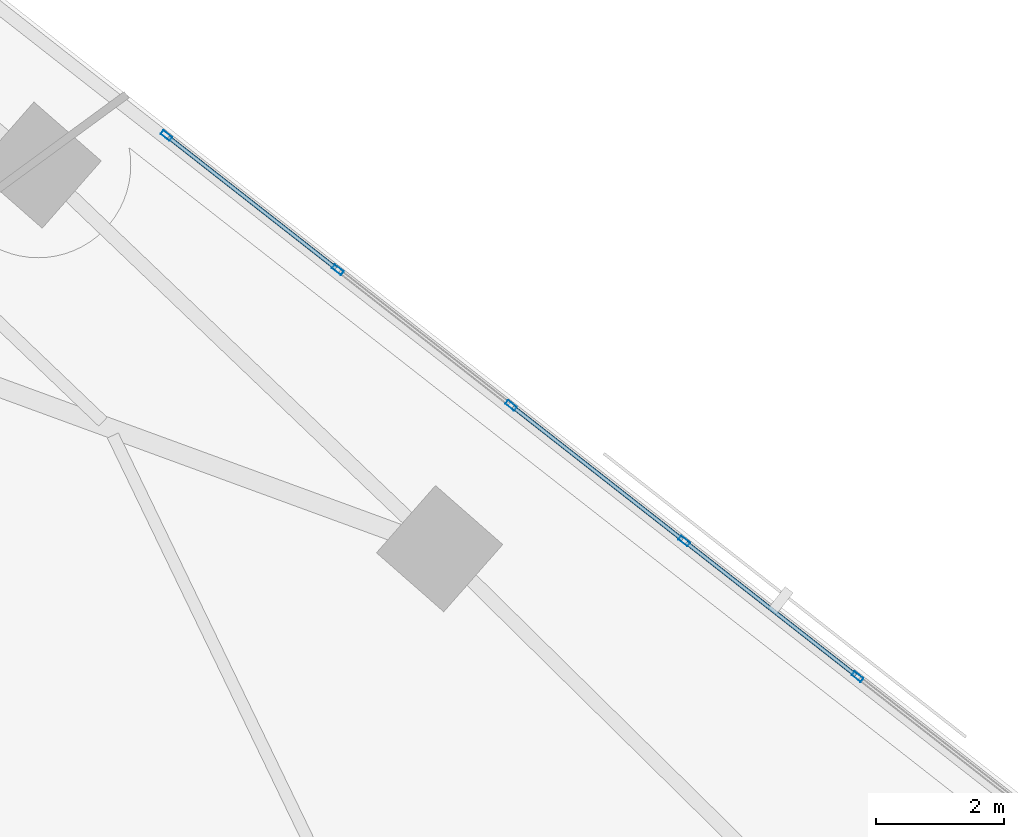
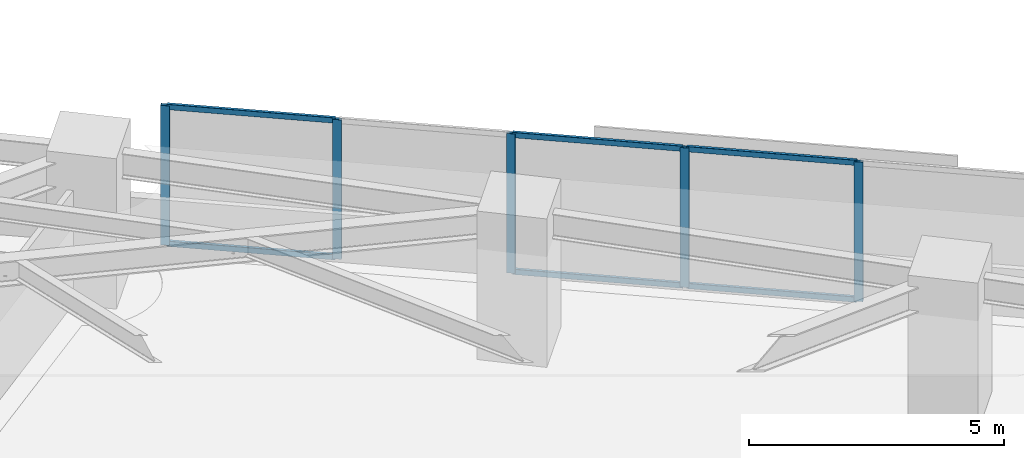
# One storey, part 7 of 16: 11 members, 1 element without a shape of its own.
"""IFC4 building model written with IfcOpenShell, lengths in metres."""

from ifc_helpers import new_model, si_unit, direction, frame, origin, origin_2d, place, context, subcontext, project, spatial, hollow_rectangle, extrude, material, material_profile, profile_set, type_object, element, aggregate, save


model = new_model("IFC4")

# Units and contexts
model_context = context("Model", 3, precision=1e-05, world=origin(), true_north=direction((0.0, 1.0)))
body_context = subcontext(model_context, "Body", "Model", "MODEL_VIEW")
ifc_project = project(units=[si_unit("LENGTHUNIT", "METRE"), si_unit("AREAUNIT", "SQUARE_METRE"), si_unit("VOLUMEUNIT", "CUBIC_METRE"), si_unit("PLANEANGLEUNIT", "RADIAN"), si_unit("MASSUNIT", "GRAM", prefix="KILO")], contexts=[model_context])

# Site, building, storey
site_placement = place(None, origin())
site = spatial("IfcSite", under=ifc_project, at=site_placement, CompositionType="ELEMENT")
building_placement = place(site_placement, origin())
building = spatial("IfcBuilding", under=site, at=building_placement, Name="Narakoshi Arena Tower", CompositionType="ELEMENT")
storey_placement = place(building_placement, frame((0.0, 0.0, 88.5)))
storey = spatial("IfcBuildingStorey", under=building, at=storey_placement, Name="L23", CompositionType="ELEMENT", Elevation=88.5)

# Curtain wall, members
ifc_material = material(Name="Anodised bronze aluminium 6063-T6", Category="aluminium")
curtain_wall_type = type_object("IfcCurtainWallType", Name="CW-HYP-LOW", PredefinedType="NOTDEFINED", material=ifc_material)
curtain_wall_placement = place(storey_placement, origin())
curtain_wall = element("IfcCurtainWall", 1, at=curtain_wall_placement, inside=storey, type_object=curtain_wall_type, Name="L23 Folded Hypotenuse Curtain Wall 1-1", PredefinedType="NOTDEFINED")
ifc_material_profile_1 = material_profile(ifc_material, hollow_rectangle(XDim=0.074951171875, YDim=0.179931640625, WallThickness=0.00390625, OuterFilletRadius=0.0048828125, at=origin_2d()), Name="MUL180x75x4")
ifc_profile_set_1 = profile_set([ifc_material_profile_1], Name="Anodised bronze aluminium 6063-T6")
member_type_1 = type_object("IfcMemberType", Name="MEM-MUL-180", PredefinedType="MULLION", material=ifc_profile_set_1)
member_1_placement = place(storey_placement, frame((107.304443359375, 48.927490234375, 0.0), z_axis=(0.0, 0.0, 1.0), x_axis=(-0.616458234641, -0.787387607817, 0.0)))
member_1 = element("IfcMember", 2, at=member_1_placement, type_object=member_type_1, Name="CW-01 mullion 6", PredefinedType="MULLION", context=body_context, shape_type="SweptSolid", body=[
    extrude(hollow_rectangle(XDim=0.074951171875, YDim=0.179931640625, WallThickness=0.00390625, OuterFilletRadius=0.0048828125, at=origin_2d()), origin(), (0.0, 0.0, 1.0), 3.340087890625),
])
member_2_placement = place(storey_placement, frame((104.5927734375, 51.050537109375, 0.0), z_axis=(0.0, 0.0, 1.0), x_axis=(-0.616458234641, -0.787387607817, 0.0)))
member_2 = element("IfcMember", 3, at=member_2_placement, type_object=member_type_1, Name="CW-01 mullion 7", PredefinedType="MULLION", context=body_context, shape_type="SweptSolid", body=[
    extrude(hollow_rectangle(XDim=0.074951171875, YDim=0.179931640625, WallThickness=0.00390625, OuterFilletRadius=0.0048828125, at=origin_2d()), origin(), (0.0, 0.0, 1.0), 3.340087890625),
])
member_3_placement = place(storey_placement, frame((101.88134765625, 53.17333984375, 0.0), z_axis=(0.0, 0.0, 1.0), x_axis=(-0.616458234641, -0.787387607817, 0.0)))
member_3 = element("IfcMember", 4, at=member_3_placement, type_object=member_type_1, Name="CW-01 mullion 8", PredefinedType="MULLION", context=body_context, shape_type="SweptSolid", body=[
    extrude(hollow_rectangle(XDim=0.074951171875, YDim=0.179931640625, WallThickness=0.00390625, OuterFilletRadius=0.0048828125, at=origin_2d()), origin(), (0.0, 0.0, 1.0), 3.340087890625),
])
member_4_placement = place(storey_placement, frame((99.169677734375, 55.29638671875, 0.0), z_axis=(0.0, 0.0, 1.0), x_axis=(-0.616458234641, -0.787387607817, 0.0)))
member_4 = element("IfcMember", 5, at=member_4_placement, type_object=member_type_1, Name="CW-01 mullion 9", PredefinedType="MULLION", context=body_context, shape_type="SweptSolid", body=[
    extrude(hollow_rectangle(XDim=0.074951171875, YDim=0.179931640625, WallThickness=0.00390625, OuterFilletRadius=0.0048828125, at=origin_2d()), origin(), (0.0, 0.0, 1.0), 3.340087890625),
])
member_5_placement = place(storey_placement, frame((96.48779296875, 57.39599609375, 0.0), z_axis=(0.0, 0.0, 1.0), x_axis=(-0.616458234641, -0.787387607817, 0.0)))
member_5 = element("IfcMember", 6, at=member_5_placement, type_object=member_type_1, Name="CW-01 mullion 10", PredefinedType="MULLION", context=body_context, shape_type="SweptSolid", body=[
    extrude(hollow_rectangle(XDim=0.074951171875, YDim=0.179931640625, WallThickness=0.00390625, OuterFilletRadius=0.0048828125, at=origin_2d()), origin(), (0.0, 0.0, 1.0), 3.340087890625),
])
ifc_material_profile_2 = material_profile(ifc_material, hollow_rectangle(XDim=0.06494140625, YDim=0.1298828125, WallThickness=0.00390625, OuterFilletRadius=0.0048828125, at=origin_2d()), Name="TRN130x65x4")
ifc_profile_set_2 = profile_set([ifc_material_profile_2], Name="Anodised bronze aluminium 6063-T6")
member_type_2 = type_object("IfcMemberType", Name="MEM-TRN-130", PredefinedType="USERDEFINED", material=ifc_profile_set_2)
member_6_placement = place(storey_placement, frame((107.27490234375, 48.95068359375, 0.032470703125), z_axis=(-0.787400998112, 0.616441131149, 0.0), x_axis=(-0.616441131149, -0.787400998112, 0.0)))
member_6 = element("IfcMember", 7, at=member_6_placement, type_object=member_type_2, Name="CW-01 transom 6.1", ObjectType="TRANSOM", PredefinedType="USERDEFINED", context=body_context, shape_type="SweptSolid", body=[
    extrude(hollow_rectangle(XDim=0.06494140625, YDim=0.1298828125, WallThickness=0.00390625, OuterFilletRadius=0.0048828125, at=origin_2d()), origin(), (0.0, 0.0, 1.0), 3.368896484375),
])
member_7_placement = place(storey_placement, frame((107.27490234375, 48.95068359375, 3.3076171875), z_axis=(-0.787400998112, 0.616441131149, 0.0), x_axis=(-0.616441131149, -0.787400998112, 0.0)))
member_7 = element("IfcMember", 8, at=member_7_placement, type_object=member_type_2, Name="CW-01 transom 6.2", ObjectType="TRANSOM", PredefinedType="USERDEFINED", context=body_context, shape_type="SweptSolid", body=[
    extrude(hollow_rectangle(XDim=0.06494140625, YDim=0.1298828125, WallThickness=0.00390625, OuterFilletRadius=0.0048828125, at=origin_2d()), origin(), (0.0, 0.0, 1.0), 3.368896484375),
])
member_8_placement = place(storey_placement, frame((104.563232421875, 51.073486328125, 0.032470703125), z_axis=(-0.787373456673, 0.616476309137, 0.0), x_axis=(-0.616476309137, -0.787373456673, 0.0)))
member_8 = element("IfcMember", 9, at=member_8_placement, type_object=member_type_2, Name="CW-01 transom 7.1", ObjectType="TRANSOM", PredefinedType="USERDEFINED", context=body_context, shape_type="SweptSolid", body=[
    extrude(hollow_rectangle(XDim=0.06494140625, YDim=0.1298828125, WallThickness=0.00390625, OuterFilletRadius=0.0048828125, at=origin_2d()), origin(), (0.0, 0.0, 1.0), 3.36865234375),
])
member_9_placement = place(storey_placement, frame((104.563232421875, 51.073486328125, 3.3076171875), z_axis=(-0.787373456673, 0.616476309137, 0.0), x_axis=(-0.616476309137, -0.787373456673, 0.0)))
member_9 = element("IfcMember", 10, at=member_9_placement, type_object=member_type_2, Name="CW-01 transom 7.2", ObjectType="TRANSOM", PredefinedType="USERDEFINED", context=body_context, shape_type="SweptSolid", body=[
    extrude(hollow_rectangle(XDim=0.06494140625, YDim=0.1298828125, WallThickness=0.00390625, OuterFilletRadius=0.0048828125, at=origin_2d()), origin(), (0.0, 0.0, 1.0), 3.36865234375),
])
member_10_placement = place(storey_placement, frame((99.14013671875, 55.3193359375, 0.032470703125), z_axis=(-0.787347227026, 0.616509808596, 0.0), x_axis=(-0.616509808596, -0.787347227026, 0.0)))
member_10 = element("IfcMember", 11, at=member_10_placement, type_object=member_type_2, Name="CW-01 transom 9.1", ObjectType="TRANSOM", PredefinedType="USERDEFINED", context=body_context, shape_type="SweptSolid", body=[
    extrude(hollow_rectangle(XDim=0.06494140625, YDim=0.1298828125, WallThickness=0.00390625, OuterFilletRadius=0.0048828125, at=origin_2d()), origin(), (0.0, 0.0, 1.0), 3.331298828125),
])
member_11_placement = place(storey_placement, frame((99.14013671875, 55.3193359375, 3.3076171875), z_axis=(-0.787347227026, 0.616509808596, 0.0), x_axis=(-0.616509808596, -0.787347227026, 0.0)))
member_11 = element("IfcMember", 12, at=member_11_placement, type_object=member_type_2, Name="CW-01 transom 9.2", ObjectType="TRANSOM", PredefinedType="USERDEFINED", context=body_context, shape_type="SweptSolid", body=[
    extrude(hollow_rectangle(XDim=0.06494140625, YDim=0.1298828125, WallThickness=0.00390625, OuterFilletRadius=0.0048828125, at=origin_2d()), origin(), (0.0, 0.0, 1.0), 3.331298828125),
])
aggregate(curtain_wall, [member_1, member_2, member_3, member_4, member_5, member_6, member_7, member_8, member_9, member_10, member_11])

save(model, "model.ifc")
